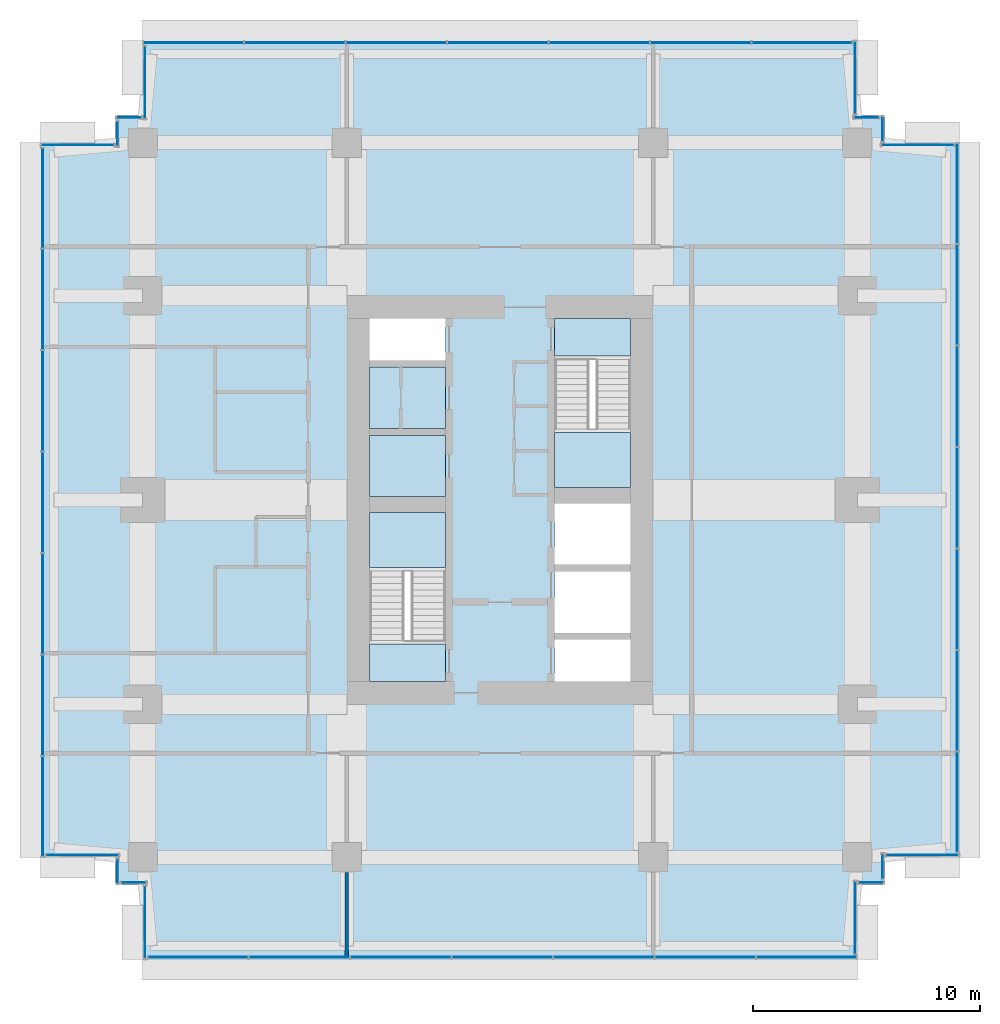
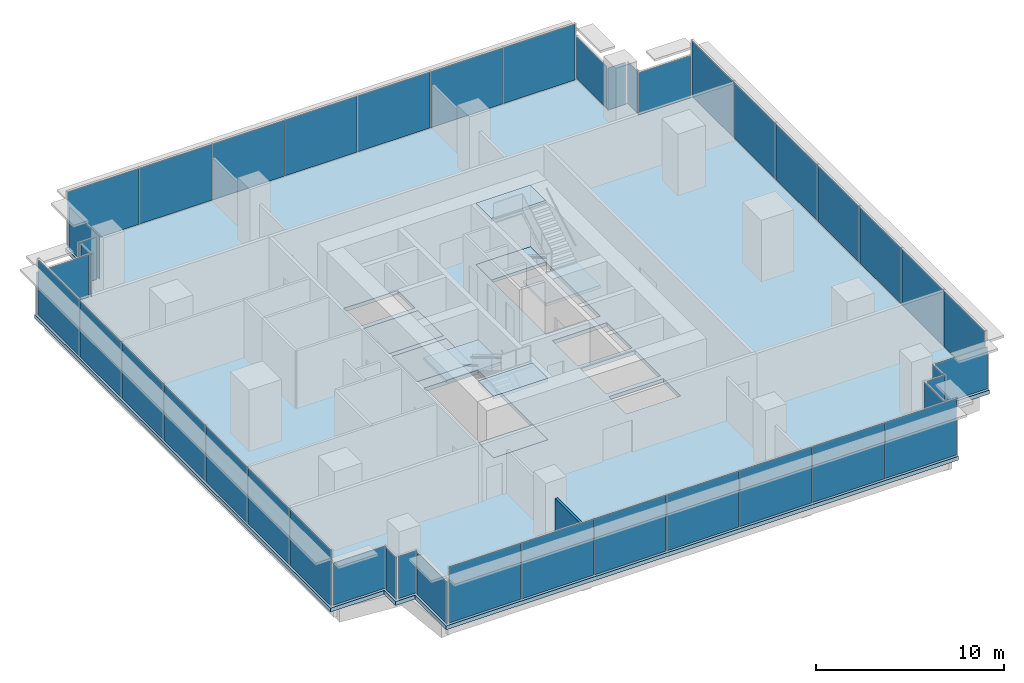
# One storey, part 10 of 13: 44 plates, 9 slabs, 1 wall, 22 elements without a shape of their own.
"""IFC4 building model written with IfcOpenShell, lengths in metres."""

from ifc_helpers import new_model, si_unit, direction, frame, frame_2d, origin, origin_2d, place, context, subcontext, project, spatial, polyline, rectangle, outline, extrude, material, layer, layer_set, type_object, element, aggregate, save


model = new_model("IFC4")

# Units and contexts
model_context = context("Model", 3, precision=1e-05, world=origin(), true_north=direction((0.0, 1.0)))
body_context = subcontext(model_context, "Body", "Model", "MODEL_VIEW")
ifc_project = project(units=[si_unit("LENGTHUNIT", "METRE"), si_unit("AREAUNIT", "SQUARE_METRE"), si_unit("VOLUMEUNIT", "CUBIC_METRE"), si_unit("PLANEANGLEUNIT", "RADIAN"), si_unit("MASSUNIT", "GRAM", prefix="KILO")], contexts=[model_context])

# Site, building, storey
site_placement = place(None, origin())
site = spatial("IfcSite", under=ifc_project, at=site_placement, CompositionType="ELEMENT")
building_placement = place(site_placement, origin())
building = spatial("IfcBuilding", under=site, at=building_placement, Name="Namib Vertical Campus", CompositionType="ELEMENT")
storey_placement = place(building_placement, frame((0.0, 0.0, 293.0)))
storey = spatial("IfcBuildingStorey", under=building, at=storey_placement, Name="L69", CompositionType="ELEMENT", Elevation=293.0)

# Curtain wall, plates
ifc_material_1 = material(Name="Black aluminium curtain wall", Category="aluminium")
ifc_layer_1 = layer(ifc_material_1, 0.199951171875)
ifc_layer_set_1 = layer_set([ifc_layer_1], Name="Sky lounge curtain wall CW-SL")
curtain_wall_type = type_object("IfcCurtainWallType", Name="Sky lounge curtain wall CW-SL", PredefinedType="USERDEFINED", material=ifc_layer_set_1)
curtain_wall_1_placement = place(storey_placement, origin())
curtain_wall_1 = element("IfcCurtainWall", 1, at=curtain_wall_1_placement, inside=storey, type_object=curtain_wall_type, Name="Curtain wall CW-SL L69 F01-1", ObjectType="CURTAIN WALL", PredefinedType="USERDEFINED")
ifc_material_2 = material(Name="Dark tinted glass", Category="glass")
ifc_layer_2 = layer(ifc_material_2, 0.028076171875)
ifc_layer_set_2 = layer_set([ifc_layer_2], Name="Dark solar glass panel 28")
plate_type = type_object("IfcPlateType", Name="Dark solar glass panel 28", PredefinedType="CURTAIN_PANEL", material=ifc_layer_set_2)
plate_1_placement = place(storey_placement, frame((6.95068359375, 0.10009765625, 0.06005859375), z_axis=(0.0, 0.0, 1.0), x_axis=(1.0, 0.0, 0.0)))
plate_1 = element("IfcPlate", 2, at=plate_1_placement, type_object=plate_type, Name="CW-SL panel 1.1", PredefinedType="CURTAIN_PANEL", context=body_context, shape_type="SweptSolid", body=[
    extrude(rectangle(XDim=4.38134765625, YDim=0.028076171875, at=origin_2d()), origin(), (0.0, 0.0, 1.0), 3.6298828125),
])
plate_2_placement = place(storey_placement, frame((11.4072265625, 0.10009765625, 0.06005859375), z_axis=(0.0, 0.0, 1.0), x_axis=(1.0, 0.0, 0.0)))
plate_2 = element("IfcPlate", 3, at=plate_2_placement, type_object=plate_type, Name="CW-SL panel 2.1", PredefinedType="CURTAIN_PANEL", context=body_context, shape_type="SweptSolid", body=[
    extrude(rectangle(XDim=4.411376953125, YDim=0.028076171875, at=origin_2d()), origin(), (0.0, 0.0, 1.0), 3.6298828125),
])
plate_3_placement = place(storey_placement, frame((15.878662109375, 0.10009765625, 0.06005859375), z_axis=(0.0, 0.0, 1.0), x_axis=(1.0, 0.0, 0.0)))
plate_3 = element("IfcPlate", 4, at=plate_3_placement, type_object=plate_type, Name="CW-SL panel 3.1", PredefinedType="CURTAIN_PANEL", context=body_context, shape_type="SweptSolid", body=[
    extrude(rectangle(XDim=4.411376953125, YDim=0.028076171875, at=origin_2d()), origin(), (0.0, 0.0, 1.0), 3.6298828125),
])
plate_4_placement = place(storey_placement, frame((20.35009765625, 0.10009765625, 0.06005859375), z_axis=(0.0, 0.0, 1.0), x_axis=(1.0, 0.0, 0.0)))
plate_4 = element("IfcPlate", 5, at=plate_4_placement, type_object=plate_type, Name="CW-SL panel 4.1", PredefinedType="CURTAIN_PANEL", context=body_context, shape_type="SweptSolid", body=[
    extrude(rectangle(XDim=4.411376953125, YDim=0.028076171875, at=origin_2d()), origin(), (0.0, 0.0, 1.0), 3.6298828125),
])
plate_5_placement = place(storey_placement, frame((24.821533203125, 0.10009765625, 0.06005859375), z_axis=(0.0, 0.0, 1.0), x_axis=(1.0, 0.0, 0.0)))
plate_5 = element("IfcPlate", 6, at=plate_5_placement, type_object=plate_type, Name="CW-SL panel 5.1", PredefinedType="CURTAIN_PANEL", context=body_context, shape_type="SweptSolid", body=[
    extrude(rectangle(XDim=4.411376953125, YDim=0.028076171875, at=origin_2d()), origin(), (0.0, 0.0, 1.0), 3.6298828125),
])
plate_6_placement = place(storey_placement, frame((29.29296875, 0.10009765625, 0.06005859375), z_axis=(0.0, 0.0, 1.0), x_axis=(1.0, 0.0, 0.0)))
plate_6 = element("IfcPlate", 7, at=plate_6_placement, type_object=plate_type, Name="CW-SL panel 6.1", PredefinedType="CURTAIN_PANEL", context=body_context, shape_type="SweptSolid", body=[
    extrude(rectangle(XDim=4.411376953125, YDim=0.028076171875, at=origin_2d()), origin(), (0.0, 0.0, 1.0), 3.6298828125),
])
plate_7_placement = place(storey_placement, frame((33.749267578125, 0.10009765625, 0.06005859375), z_axis=(0.0, 0.0, 1.0), x_axis=(1.0, 0.0, 0.0)))
plate_7 = element("IfcPlate", 8, at=plate_7_placement, type_object=plate_type, Name="CW-SL panel 7.1", PredefinedType="CURTAIN_PANEL", context=body_context, shape_type="SweptSolid", body=[
    extrude(rectangle(XDim=4.38134765625, YDim=0.028076171875, at=origin_2d()), origin(), (0.0, 0.0, 1.0), 3.6298828125),
])
aggregate(curtain_wall_1, [plate_1, plate_2, plate_3, plate_4, plate_5, plate_6, plate_7])

# Curtain wall, plate
curtain_wall_2_placement = place(storey_placement, origin())
curtain_wall_2 = element("IfcCurtainWall", 9, at=curtain_wall_2_placement, inside=storey, type_object=curtain_wall_type, Name="Curtain wall CW-SL L69 F02-1", ObjectType="CURTAIN WALL", PredefinedType="USERDEFINED")
plate_8_placement = place(storey_placement, frame((35.89990234375, 1.85009765625, 0.06005859375), z_axis=(0.0, 0.0, 1.0), x_axis=(0.0, 1.0, 0.0)))
plate_8 = element("IfcPlate", 10, at=plate_8_placement, type_object=plate_type, Name="CW-SL panel 1.1", PredefinedType="CURTAIN_PANEL", context=body_context, shape_type="SweptSolid", body=[
    extrude(rectangle(XDim=3.179931640625, YDim=0.028076171875, at=origin_2d()), origin(), (0.0, 0.0, 1.0), 2.72998046875),
])
aggregate(curtain_wall_2, [plate_8])

curtain_wall_3_placement = place(storey_placement, origin())
curtain_wall_3 = element("IfcCurtainWall", 11, at=curtain_wall_3_placement, inside=storey, type_object=curtain_wall_type, Name="Curtain wall CW-SL L69 F03-1", ObjectType="CURTAIN WALL", PredefinedType="USERDEFINED")
plate_9_placement = place(storey_placement, frame((36.60009765625, 3.39990234375, 0.06005859375), z_axis=(0.0, 0.0, 1.0), x_axis=(1.0, 0.0, 0.0)))
plate_9 = element("IfcPlate", 12, at=plate_9_placement, type_object=plate_type, Name="CW-SL panel 1.1", PredefinedType="CURTAIN_PANEL", context=body_context, shape_type="SweptSolid", body=[
    extrude(rectangle(XDim=1.080078125, YDim=0.028076171875, at=origin_2d()), origin(), (0.0, 0.0, 1.0), 2.72998046875),
])
aggregate(curtain_wall_3, [plate_9])

curtain_wall_4_placement = place(storey_placement, origin())
curtain_wall_4 = element("IfcCurtainWall", 13, at=curtain_wall_4_placement, inside=storey, type_object=curtain_wall_type, Name="Curtain wall CW-SL L69 F04-1", ObjectType="CURTAIN WALL", PredefinedType="USERDEFINED")
plate_10_placement = place(storey_placement, frame((37.10009765625, 4.10009765625, 0.06005859375), z_axis=(0.0, 0.0, 1.0), x_axis=(0.0, 1.0, 0.0)))
plate_10 = element("IfcPlate", 14, at=plate_10_placement, type_object=plate_type, Name="CW-SL panel 1.1", PredefinedType="CURTAIN_PANEL", context=body_context, shape_type="SweptSolid", body=[
    extrude(rectangle(XDim=1.080078125, YDim=0.028076171875, at=origin_2d()), origin(), (0.0, 0.0, 1.0), 2.72998046875),
])
aggregate(curtain_wall_4, [plate_10])

curtain_wall_5_placement = place(storey_placement, origin())
curtain_wall_5 = element("IfcCurtainWall", 15, at=curtain_wall_5_placement, inside=storey, type_object=curtain_wall_type, Name="Curtain wall CW-SL L69 F05-1", ObjectType="CURTAIN WALL", PredefinedType="USERDEFINED")
plate_11_placement = place(storey_placement, frame((38.85009765625, 4.60009765625, 0.06005859375), z_axis=(0.0, 0.0, 1.0), x_axis=(1.0, 0.0, 0.0)))
plate_11 = element("IfcPlate", 16, at=plate_11_placement, type_object=plate_type, Name="CW-SL panel 1.1", PredefinedType="CURTAIN_PANEL", context=body_context, shape_type="SweptSolid", body=[
    extrude(rectangle(XDim=3.179931640625, YDim=0.028076171875, at=origin_2d()), origin(), (0.0, 0.0, 1.0), 2.72998046875),
])
aggregate(curtain_wall_5, [plate_11])

# Curtain wall, plates
curtain_wall_6_placement = place(storey_placement, origin())
curtain_wall_6 = element("IfcCurtainWall", 17, at=curtain_wall_6_placement, inside=storey, type_object=curtain_wall_type, Name="Curtain wall CW-SL L69 F06-1", ObjectType="CURTAIN WALL", PredefinedType="USERDEFINED")
plate_12_placement = place(storey_placement, frame((40.39990234375, 6.95068359375, 0.06005859375), z_axis=(0.0, 0.0, 1.0), x_axis=(0.0, 1.0, 0.0)))
plate_12 = element("IfcPlate", 18, at=plate_12_placement, type_object=plate_type, Name="CW-SL panel 1.1", PredefinedType="CURTAIN_PANEL", context=body_context, shape_type="SweptSolid", body=[
    extrude(rectangle(XDim=4.38134765625, YDim=0.028076171875, at=origin_2d()), origin(), (0.0, 0.0, 1.0), 3.6298828125),
])
plate_13_placement = place(storey_placement, frame((40.39990234375, 11.4072265625, 0.06005859375), z_axis=(0.0, 0.0, 1.0), x_axis=(0.0, 1.0, 0.0)))
plate_13 = element("IfcPlate", 19, at=plate_13_placement, type_object=plate_type, Name="CW-SL panel 2.1", PredefinedType="CURTAIN_PANEL", context=body_context, shape_type="SweptSolid", body=[
    extrude(rectangle(XDim=4.411376953125, YDim=0.028076171875, at=origin_2d()), origin(), (0.0, 0.0, 1.0), 3.6298828125),
])
plate_14_placement = place(storey_placement, frame((40.39990234375, 15.878662109375, 0.06005859375), z_axis=(0.0, 0.0, 1.0), x_axis=(0.0, 1.0, 0.0)))
plate_14 = element("IfcPlate", 20, at=plate_14_placement, type_object=plate_type, Name="CW-SL panel 3.1", PredefinedType="CURTAIN_PANEL", context=body_context, shape_type="SweptSolid", body=[
    extrude(rectangle(XDim=4.411376953125, YDim=0.028076171875, at=origin_2d()), origin(), (0.0, 0.0, 1.0), 3.6298828125),
])
plate_15_placement = place(storey_placement, frame((40.39990234375, 20.35009765625, 0.06005859375), z_axis=(0.0, 0.0, 1.0), x_axis=(0.0, 1.0, 0.0)))
plate_15 = element("IfcPlate", 21, at=plate_15_placement, type_object=plate_type, Name="CW-SL panel 4.1", PredefinedType="CURTAIN_PANEL", context=body_context, shape_type="SweptSolid", body=[
    extrude(rectangle(XDim=4.411376953125, YDim=0.028076171875, at=origin_2d()), origin(), (0.0, 0.0, 1.0), 3.6298828125),
])
plate_16_placement = place(storey_placement, frame((40.39990234375, 24.821533203125, 0.06005859375), z_axis=(0.0, 0.0, 1.0), x_axis=(0.0, 1.0, 0.0)))
plate_16 = element("IfcPlate", 22, at=plate_16_placement, type_object=plate_type, Name="CW-SL panel 5.1", PredefinedType="CURTAIN_PANEL", context=body_context, shape_type="SweptSolid", body=[
    extrude(rectangle(XDim=4.411376953125, YDim=0.028076171875, at=origin_2d()), origin(), (0.0, 0.0, 1.0), 3.6298828125),
])
plate_17_placement = place(storey_placement, frame((40.39990234375, 29.29296875, 0.06005859375), z_axis=(0.0, 0.0, 1.0), x_axis=(0.0, 1.0, 0.0)))
plate_17 = element("IfcPlate", 23, at=plate_17_placement, type_object=plate_type, Name="CW-SL panel 6.1", PredefinedType="CURTAIN_PANEL", context=body_context, shape_type="SweptSolid", body=[
    extrude(rectangle(XDim=4.411376953125, YDim=0.028076171875, at=origin_2d()), origin(), (0.0, 0.0, 1.0), 3.6298828125),
])
plate_18_placement = place(storey_placement, frame((40.39990234375, 33.749267578125, 0.06005859375), z_axis=(0.0, 0.0, 1.0), x_axis=(0.0, 1.0, 0.0)))
plate_18 = element("IfcPlate", 24, at=plate_18_placement, type_object=plate_type, Name="CW-SL panel 7.1", PredefinedType="CURTAIN_PANEL", context=body_context, shape_type="SweptSolid", body=[
    extrude(rectangle(XDim=4.38134765625, YDim=0.028076171875, at=origin_2d()), origin(), (0.0, 0.0, 1.0), 3.6298828125),
])
aggregate(curtain_wall_6, [plate_12, plate_13, plate_14, plate_15, plate_16, plate_17, plate_18])

# Curtain wall, plate
curtain_wall_7_placement = place(storey_placement, origin())
curtain_wall_7 = element("IfcCurtainWall", 25, at=curtain_wall_7_placement, inside=storey, type_object=curtain_wall_type, Name="Curtain wall CW-SL L69 F07-1", ObjectType="CURTAIN WALL", PredefinedType="USERDEFINED")
plate_19_placement = place(storey_placement, frame((38.64990234375, 35.89990234375, 0.06005859375), z_axis=(0.0, 0.0, 1.0), x_axis=(-1.0, 0.0, 0.0)))
plate_19 = element("IfcPlate", 26, at=plate_19_placement, type_object=plate_type, Name="CW-SL panel 1.1", PredefinedType="CURTAIN_PANEL", context=body_context, shape_type="SweptSolid", body=[
    extrude(rectangle(XDim=3.179931640625, YDim=0.028076171875, at=origin_2d()), origin(), (0.0, 0.0, 1.0), 2.72998046875),
])
aggregate(curtain_wall_7, [plate_19])

curtain_wall_8_placement = place(storey_placement, origin())
curtain_wall_8 = element("IfcCurtainWall", 27, at=curtain_wall_8_placement, inside=storey, type_object=curtain_wall_type, Name="Curtain wall CW-SL L69 F08-1", ObjectType="CURTAIN WALL", PredefinedType="USERDEFINED")
plate_20_placement = place(storey_placement, frame((37.10009765625, 36.60009765625, 0.06005859375), z_axis=(0.0, 0.0, 1.0), x_axis=(0.0, 1.0, 0.0)))
plate_20 = element("IfcPlate", 28, at=plate_20_placement, type_object=plate_type, Name="CW-SL panel 1.1", PredefinedType="CURTAIN_PANEL", context=body_context, shape_type="SweptSolid", body=[
    extrude(rectangle(XDim=1.080078125, YDim=0.028076171875, at=origin_2d()), origin(), (0.0, 0.0, 1.0), 2.72998046875),
])
aggregate(curtain_wall_8, [plate_20])

curtain_wall_9_placement = place(storey_placement, origin())
curtain_wall_9 = element("IfcCurtainWall", 29, at=curtain_wall_9_placement, inside=storey, type_object=curtain_wall_type, Name="Curtain wall CW-SL L69 F09-1", ObjectType="CURTAIN WALL", PredefinedType="USERDEFINED")
plate_21_placement = place(storey_placement, frame((36.39990234375, 37.10009765625, 0.06005859375), z_axis=(0.0, 0.0, 1.0), x_axis=(-1.0, 0.0, 0.0)))
plate_21 = element("IfcPlate", 30, at=plate_21_placement, type_object=plate_type, Name="CW-SL panel 1.1", PredefinedType="CURTAIN_PANEL", context=body_context, shape_type="SweptSolid", body=[
    extrude(rectangle(XDim=1.080078125, YDim=0.028076171875, at=origin_2d()), origin(), (0.0, 0.0, 1.0), 2.72998046875),
])
aggregate(curtain_wall_9, [plate_21])

curtain_wall_10_placement = place(storey_placement, origin())
curtain_wall_10 = element("IfcCurtainWall", 31, at=curtain_wall_10_placement, inside=storey, type_object=curtain_wall_type, Name="Curtain wall CW-SL L69 F10-1", ObjectType="CURTAIN WALL", PredefinedType="USERDEFINED")
plate_22_placement = place(storey_placement, frame((35.89990234375, 38.85009765625, 0.06005859375), z_axis=(0.0, 0.0, 1.0), x_axis=(0.0, 1.0, 0.0)))
plate_22 = element("IfcPlate", 32, at=plate_22_placement, type_object=plate_type, Name="CW-SL panel 1.1", PredefinedType="CURTAIN_PANEL", context=body_context, shape_type="SweptSolid", body=[
    extrude(rectangle(XDim=3.179931640625, YDim=0.028076171875, at=origin_2d()), origin(), (0.0, 0.0, 1.0), 2.72998046875),
])
aggregate(curtain_wall_10, [plate_22])

# Curtain wall, plates
curtain_wall_11_placement = place(storey_placement, origin())
curtain_wall_11 = element("IfcCurtainWall", 33, at=curtain_wall_11_placement, inside=storey, type_object=curtain_wall_type, Name="Curtain wall CW-SL L69 F11-1", ObjectType="CURTAIN WALL", PredefinedType="USERDEFINED")
plate_23_placement = place(storey_placement, frame((33.54931640625, 40.39990234375, 0.06005859375), z_axis=(0.0, 0.0, 1.0), x_axis=(-1.0, 0.0, 0.0)))
plate_23 = element("IfcPlate", 34, at=plate_23_placement, type_object=plate_type, Name="CW-SL panel 1.1", PredefinedType="CURTAIN_PANEL", context=body_context, shape_type="SweptSolid", body=[
    extrude(rectangle(XDim=4.38134765625, YDim=0.028076171875, at=origin_2d()), origin(), (0.0, 0.0, 1.0), 3.6298828125),
])
plate_24_placement = place(storey_placement, frame((29.0927734375, 40.39990234375, 0.06005859375), z_axis=(0.0, 0.0, 1.0), x_axis=(-1.0, 0.0, 0.0)))
plate_24 = element("IfcPlate", 35, at=plate_24_placement, type_object=plate_type, Name="CW-SL panel 2.1", PredefinedType="CURTAIN_PANEL", context=body_context, shape_type="SweptSolid", body=[
    extrude(rectangle(XDim=4.411376953125, YDim=0.028076171875, at=origin_2d()), origin(), (0.0, 0.0, 1.0), 3.6298828125),
])
plate_25_placement = place(storey_placement, frame((24.621337890625, 40.39990234375, 0.06005859375), z_axis=(0.0, 0.0, 1.0), x_axis=(-1.0, 0.0, 0.0)))
plate_25 = element("IfcPlate", 36, at=plate_25_placement, type_object=plate_type, Name="CW-SL panel 3.1", PredefinedType="CURTAIN_PANEL", context=body_context, shape_type="SweptSolid", body=[
    extrude(rectangle(XDim=4.411376953125, YDim=0.028076171875, at=origin_2d()), origin(), (0.0, 0.0, 1.0), 3.6298828125),
])
plate_26_placement = place(storey_placement, frame((20.14990234375, 40.39990234375, 0.06005859375), z_axis=(0.0, 0.0, 1.0), x_axis=(-1.0, 0.0, 0.0)))
plate_26 = element("IfcPlate", 37, at=plate_26_placement, type_object=plate_type, Name="CW-SL panel 4.1", PredefinedType="CURTAIN_PANEL", context=body_context, shape_type="SweptSolid", body=[
    extrude(rectangle(XDim=4.411376953125, YDim=0.028076171875, at=origin_2d()), origin(), (0.0, 0.0, 1.0), 3.6298828125),
])
plate_27_placement = place(storey_placement, frame((15.678466796875, 40.39990234375, 0.06005859375), z_axis=(0.0, 0.0, 1.0), x_axis=(-1.0, 0.0, 0.0)))
plate_27 = element("IfcPlate", 38, at=plate_27_placement, type_object=plate_type, Name="CW-SL panel 5.1", PredefinedType="CURTAIN_PANEL", context=body_context, shape_type="SweptSolid", body=[
    extrude(rectangle(XDim=4.411376953125, YDim=0.028076171875, at=origin_2d()), origin(), (0.0, 0.0, 1.0), 3.6298828125),
])
plate_28_placement = place(storey_placement, frame((11.20703125, 40.39990234375, 0.06005859375), z_axis=(0.0, 0.0, 1.0), x_axis=(-1.0, 0.0, 0.0)))
plate_28 = element("IfcPlate", 39, at=plate_28_placement, type_object=plate_type, Name="CW-SL panel 6.1", PredefinedType="CURTAIN_PANEL", context=body_context, shape_type="SweptSolid", body=[
    extrude(rectangle(XDim=4.411376953125, YDim=0.028076171875, at=origin_2d()), origin(), (0.0, 0.0, 1.0), 3.6298828125),
])
plate_29_placement = place(storey_placement, frame((6.750732421875, 40.39990234375, 0.06005859375), z_axis=(0.0, 0.0, 1.0), x_axis=(-1.0, 0.0, 0.0)))
plate_29 = element("IfcPlate", 40, at=plate_29_placement, type_object=plate_type, Name="CW-SL panel 7.1", PredefinedType="CURTAIN_PANEL", context=body_context, shape_type="SweptSolid", body=[
    extrude(rectangle(XDim=4.38134765625, YDim=0.028076171875, at=origin_2d()), origin(), (0.0, 0.0, 1.0), 3.6298828125),
])
aggregate(curtain_wall_11, [plate_23, plate_24, plate_25, plate_26, plate_27, plate_28, plate_29])

# Curtain wall, plate
curtain_wall_12_placement = place(storey_placement, origin())
curtain_wall_12 = element("IfcCurtainWall", 41, at=curtain_wall_12_placement, inside=storey, type_object=curtain_wall_type, Name="Curtain wall CW-SL L69 F12-1", ObjectType="CURTAIN WALL", PredefinedType="USERDEFINED")
plate_30_placement = place(storey_placement, frame((4.60009765625, 38.64990234375, 0.06005859375), z_axis=(0.0, 0.0, 1.0), x_axis=(0.0, -1.0, 0.0)))
plate_30 = element("IfcPlate", 42, at=plate_30_placement, type_object=plate_type, Name="CW-SL panel 1.1", PredefinedType="CURTAIN_PANEL", context=body_context, shape_type="SweptSolid", body=[
    extrude(rectangle(XDim=3.179931640625, YDim=0.028076171875, at=origin_2d()), origin(), (0.0, 0.0, 1.0), 2.72998046875),
])
aggregate(curtain_wall_12, [plate_30])

curtain_wall_13_placement = place(storey_placement, origin())
curtain_wall_13 = element("IfcCurtainWall", 43, at=curtain_wall_13_placement, inside=storey, type_object=curtain_wall_type, Name="Curtain wall CW-SL L69 F13-1", ObjectType="CURTAIN WALL", PredefinedType="USERDEFINED")
plate_31_placement = place(storey_placement, frame((3.89990234375, 37.10009765625, 0.06005859375), z_axis=(0.0, 0.0, 1.0), x_axis=(-1.0, 0.0, 0.0)))
plate_31 = element("IfcPlate", 44, at=plate_31_placement, type_object=plate_type, Name="CW-SL panel 1.1", PredefinedType="CURTAIN_PANEL", context=body_context, shape_type="SweptSolid", body=[
    extrude(rectangle(XDim=1.080078125, YDim=0.028076171875, at=origin_2d()), origin(), (0.0, 0.0, 1.0), 2.72998046875),
])
aggregate(curtain_wall_13, [plate_31])

curtain_wall_14_placement = place(storey_placement, origin())
curtain_wall_14 = element("IfcCurtainWall", 45, at=curtain_wall_14_placement, inside=storey, type_object=curtain_wall_type, Name="Curtain wall CW-SL L69 F14-1", ObjectType="CURTAIN WALL", PredefinedType="USERDEFINED")
plate_32_placement = place(storey_placement, frame((3.39990234375, 36.39990234375, 0.06005859375), z_axis=(0.0, 0.0, 1.0), x_axis=(0.0, -1.0, 0.0)))
plate_32 = element("IfcPlate", 46, at=plate_32_placement, type_object=plate_type, Name="CW-SL panel 1.1", PredefinedType="CURTAIN_PANEL", context=body_context, shape_type="SweptSolid", body=[
    extrude(rectangle(XDim=1.080078125, YDim=0.028076171875, at=origin_2d()), origin(), (0.0, 0.0, 1.0), 2.72998046875),
])
aggregate(curtain_wall_14, [plate_32])

curtain_wall_15_placement = place(storey_placement, origin())
curtain_wall_15 = element("IfcCurtainWall", 47, at=curtain_wall_15_placement, inside=storey, type_object=curtain_wall_type, Name="Curtain wall CW-SL L69 F15-1", ObjectType="CURTAIN WALL", PredefinedType="USERDEFINED")
plate_33_placement = place(storey_placement, frame((1.64990234375, 35.89990234375, 0.06005859375), z_axis=(0.0, 0.0, 1.0), x_axis=(-1.0, 0.0, 0.0)))
plate_33 = element("IfcPlate", 48, at=plate_33_placement, type_object=plate_type, Name="CW-SL panel 1.1", PredefinedType="CURTAIN_PANEL", context=body_context, shape_type="SweptSolid", body=[
    extrude(rectangle(XDim=3.179931640625, YDim=0.028076171875, at=origin_2d()), origin(), (0.0, 0.0, 1.0), 2.72998046875),
])
aggregate(curtain_wall_15, [plate_33])

# Curtain wall, plates
curtain_wall_16_placement = place(storey_placement, origin())
curtain_wall_16 = element("IfcCurtainWall", 49, at=curtain_wall_16_placement, inside=storey, type_object=curtain_wall_type, Name="Curtain wall CW-SL L69 F16-1", ObjectType="CURTAIN WALL", PredefinedType="USERDEFINED")
plate_34_placement = place(storey_placement, frame((0.10009765625, 33.54931640625, 0.06005859375), z_axis=(0.0, 0.0, 1.0), x_axis=(0.0, -1.0, 0.0)))
plate_34 = element("IfcPlate", 50, at=plate_34_placement, type_object=plate_type, Name="CW-SL panel 1.1", PredefinedType="CURTAIN_PANEL", context=body_context, shape_type="SweptSolid", body=[
    extrude(rectangle(XDim=4.38134765625, YDim=0.028076171875, at=origin_2d()), origin(), (0.0, 0.0, 1.0), 3.6298828125),
])
plate_35_placement = place(storey_placement, frame((0.10009765625, 29.0927734375, 0.06005859375), z_axis=(0.0, 0.0, 1.0), x_axis=(0.0, -1.0, 0.0)))
plate_35 = element("IfcPlate", 51, at=plate_35_placement, type_object=plate_type, Name="CW-SL panel 2.1", PredefinedType="CURTAIN_PANEL", context=body_context, shape_type="SweptSolid", body=[
    extrude(rectangle(XDim=4.411376953125, YDim=0.028076171875, at=origin_2d()), origin(), (0.0, 0.0, 1.0), 3.6298828125),
])
plate_36_placement = place(storey_placement, frame((0.10009765625, 24.621337890625, 0.06005859375), z_axis=(0.0, 0.0, 1.0), x_axis=(0.0, -1.0, 0.0)))
plate_36 = element("IfcPlate", 52, at=plate_36_placement, type_object=plate_type, Name="CW-SL panel 3.1", PredefinedType="CURTAIN_PANEL", context=body_context, shape_type="SweptSolid", body=[
    extrude(rectangle(XDim=4.411376953125, YDim=0.028076171875, at=origin_2d()), origin(), (0.0, 0.0, 1.0), 3.6298828125),
])
plate_37_placement = place(storey_placement, frame((0.10009765625, 20.14990234375, 0.06005859375), z_axis=(0.0, 0.0, 1.0), x_axis=(0.0, -1.0, 0.0)))
plate_37 = element("IfcPlate", 53, at=plate_37_placement, type_object=plate_type, Name="CW-SL panel 4.1", PredefinedType="CURTAIN_PANEL", context=body_context, shape_type="SweptSolid", body=[
    extrude(rectangle(XDim=4.411376953125, YDim=0.028076171875, at=origin_2d()), origin(), (0.0, 0.0, 1.0), 3.6298828125),
])
plate_38_placement = place(storey_placement, frame((0.10009765625, 15.678466796875, 0.06005859375), z_axis=(0.0, 0.0, 1.0), x_axis=(0.0, -1.0, 0.0)))
plate_38 = element("IfcPlate", 54, at=plate_38_placement, type_object=plate_type, Name="CW-SL panel 5.1", PredefinedType="CURTAIN_PANEL", context=body_context, shape_type="SweptSolid", body=[
    extrude(rectangle(XDim=4.411376953125, YDim=0.028076171875, at=origin_2d()), origin(), (0.0, 0.0, 1.0), 3.6298828125),
])
plate_39_placement = place(storey_placement, frame((0.10009765625, 11.20703125, 0.06005859375), z_axis=(0.0, 0.0, 1.0), x_axis=(0.0, -1.0, 0.0)))
plate_39 = element("IfcPlate", 55, at=plate_39_placement, type_object=plate_type, Name="CW-SL panel 6.1", PredefinedType="CURTAIN_PANEL", context=body_context, shape_type="SweptSolid", body=[
    extrude(rectangle(XDim=4.411376953125, YDim=0.028076171875, at=origin_2d()), origin(), (0.0, 0.0, 1.0), 3.6298828125),
])
plate_40_placement = place(storey_placement, frame((0.10009765625, 6.750732421875, 0.06005859375), z_axis=(0.0, 0.0, 1.0), x_axis=(0.0, -1.0, 0.0)))
plate_40 = element("IfcPlate", 56, at=plate_40_placement, type_object=plate_type, Name="CW-SL panel 7.1", PredefinedType="CURTAIN_PANEL", context=body_context, shape_type="SweptSolid", body=[
    extrude(rectangle(XDim=4.38134765625, YDim=0.028076171875, at=origin_2d()), origin(), (0.0, 0.0, 1.0), 3.6298828125),
])
aggregate(curtain_wall_16, [plate_34, plate_35, plate_36, plate_37, plate_38, plate_39, plate_40])

# Curtain wall, plate
curtain_wall_17_placement = place(storey_placement, origin())
curtain_wall_17 = element("IfcCurtainWall", 57, at=curtain_wall_17_placement, inside=storey, type_object=curtain_wall_type, Name="Curtain wall CW-SL L69 F17-1", ObjectType="CURTAIN WALL", PredefinedType="USERDEFINED")
plate_41_placement = place(storey_placement, frame((1.85009765625, 4.60009765625, 0.06005859375), z_axis=(0.0, 0.0, 1.0), x_axis=(1.0, 0.0, 0.0)))
plate_41 = element("IfcPlate", 58, at=plate_41_placement, type_object=plate_type, Name="CW-SL panel 1.1", PredefinedType="CURTAIN_PANEL", context=body_context, shape_type="SweptSolid", body=[
    extrude(rectangle(XDim=3.179931640625, YDim=0.028076171875, at=origin_2d()), origin(), (0.0, 0.0, 1.0), 2.72998046875),
])
aggregate(curtain_wall_17, [plate_41])

curtain_wall_18_placement = place(storey_placement, origin())
curtain_wall_18 = element("IfcCurtainWall", 59, at=curtain_wall_18_placement, inside=storey, type_object=curtain_wall_type, Name="Curtain wall CW-SL L69 F18-1", ObjectType="CURTAIN WALL", PredefinedType="USERDEFINED")
plate_42_placement = place(storey_placement, frame((3.39990234375, 3.89990234375, 0.06005859375), z_axis=(0.0, 0.0, 1.0), x_axis=(0.0, -1.0, 0.0)))
plate_42 = element("IfcPlate", 60, at=plate_42_placement, type_object=plate_type, Name="CW-SL panel 1.1", PredefinedType="CURTAIN_PANEL", context=body_context, shape_type="SweptSolid", body=[
    extrude(rectangle(XDim=1.080078125, YDim=0.028076171875, at=origin_2d()), origin(), (0.0, 0.0, 1.0), 2.72998046875),
])
aggregate(curtain_wall_18, [plate_42])

curtain_wall_19_placement = place(storey_placement, origin())
curtain_wall_19 = element("IfcCurtainWall", 61, at=curtain_wall_19_placement, inside=storey, type_object=curtain_wall_type, Name="Curtain wall CW-SL L69 F19-1", ObjectType="CURTAIN WALL", PredefinedType="USERDEFINED")
plate_43_placement = place(storey_placement, frame((4.10009765625, 3.39990234375, 0.06005859375), z_axis=(0.0, 0.0, 1.0), x_axis=(1.0, 0.0, 0.0)))
plate_43 = element("IfcPlate", 62, at=plate_43_placement, type_object=plate_type, Name="CW-SL panel 1.1", PredefinedType="CURTAIN_PANEL", context=body_context, shape_type="SweptSolid", body=[
    extrude(rectangle(XDim=1.080078125, YDim=0.028076171875, at=origin_2d()), origin(), (0.0, 0.0, 1.0), 2.72998046875),
])
aggregate(curtain_wall_19, [plate_43])

curtain_wall_20_placement = place(storey_placement, origin())
curtain_wall_20 = element("IfcCurtainWall", 63, at=curtain_wall_20_placement, inside=storey, type_object=curtain_wall_type, Name="Curtain wall CW-SL L69 F20-1", ObjectType="CURTAIN WALL", PredefinedType="USERDEFINED")
plate_44_placement = place(storey_placement, frame((4.60009765625, 1.64990234375, 0.06005859375), z_axis=(0.0, 0.0, 1.0), x_axis=(0.0, -1.0, 0.0)))
plate_44 = element("IfcPlate", 64, at=plate_44_placement, type_object=plate_type, Name="CW-SL panel 1.1", PredefinedType="CURTAIN_PANEL", context=body_context, shape_type="SweptSolid", body=[
    extrude(rectangle(XDim=3.179931640625, YDim=0.028076171875, at=origin_2d()), origin(), (0.0, 0.0, 1.0), 2.72998046875),
])
aggregate(curtain_wall_20, [plate_44])

# Slabs
ifc_material_3 = material(Name="Concrete C40/50", Category="concrete")
ifc_layer_3 = layer(ifc_material_3, 0.25)
ifc_layer_set_3 = layer_set([ifc_layer_3], Name="Concrete C40/50")
slab_type_1 = type_object("IfcSlabType", Name="Floor slab 250", PredefinedType="FLOOR", material=ifc_layer_set_3)
slab_1_placement = place(storey_placement, frame((0.0, 0.0, -0.25)))
element("IfcSlab", 65, at=slab_1_placement, inside=storey, type_object=slab_type_1, Name="Floor slab A L69", PredefinedType="FLOOR", context=body_context, shape_type="SweptSolid", body=[
    extrude(outline(polyline([(4.5, 0.0), (36.0, 0.0), (36.0, 3.300048828125), (37.199951171875, 3.300048828125), (37.199951171875, 4.5), (40.5, 4.5), (40.5, 36.0), (37.199951171875, 36.0), (37.199951171875, 37.199951171875), (36.0, 37.199951171875), (36.0, 40.5), (4.5, 40.5), (4.5, 37.199951171875), (3.300048828125, 37.199951171875), (3.300048828125, 36.0), (0.0, 36.0), (0.0, 4.5), (3.300048828125, 4.5), (3.300048828125, 3.300048828125), (4.5, 3.300048828125), (4.5, 0.0)]), holes=[polyline([(14.5, 12.25), (17.85009765625, 12.25), (17.85009765625, 19.699951171875), (14.5, 19.699951171875), (14.5, 12.25)]), polyline([(22.64990234375, 20.800048828125), (26.0, 20.800048828125), (26.0, 28.25), (22.64990234375, 28.25), (22.64990234375, 20.800048828125)]), polyline([(22.64990234375, 12.25), (26.0, 12.25), (26.0, 14.10009765625), (22.64990234375, 14.10009765625), (22.64990234375, 12.25)]), polyline([(14.5, 20.39990234375), (17.85009765625, 20.39990234375), (17.85009765625, 23.10009765625), (14.5, 23.10009765625), (14.5, 20.39990234375)]), polyline([(14.5, 23.39990234375), (17.85009765625, 23.39990234375), (17.85009765625, 26.10009765625), (14.5, 26.10009765625), (14.5, 23.39990234375)]), polyline([(14.5, 26.39990234375), (17.85009765625, 26.39990234375), (17.85009765625, 28.25), (14.5, 28.25), (14.5, 26.39990234375)]), polyline([(22.64990234375, 14.39990234375), (26.0, 14.39990234375), (26.0, 17.10009765625), (22.64990234375, 17.10009765625), (22.64990234375, 14.39990234375)]), polyline([(22.64990234375, 17.39990234375), (26.0, 17.39990234375), (26.0, 20.10009765625), (22.64990234375, 20.10009765625), (22.64990234375, 17.39990234375)])]), origin(), (0.0, 0.0, 1.0), 0.25),
])
ifc_material_4 = material(Name="Concrete C40/50 precast", Category="concrete")
ifc_layer_4 = layer(ifc_material_4, 0.25)
ifc_layer_set_4 = layer_set([ifc_layer_4], Name="Concrete C40/50 precast")
slab_type_2 = type_object("IfcSlabType", Name="Shaft infill floor 250", PredefinedType="FLOOR", material=ifc_layer_set_4)
slab_2_placement = place(storey_placement, frame((0.0, 0.0, -0.25)))
element("IfcSlab", 66, at=slab_2_placement, inside=storey, type_object=slab_type_2, Name="Shaft infill floor A L69 P1", PredefinedType="FLOOR", context=body_context, shape_type="SweptSolid", body=[
    extrude(outline(polyline([(14.5, 20.39990234375), (17.85009765625, 20.39990234375), (17.85009765625, 23.10009765625), (14.5, 23.10009765625), (14.5, 20.39990234375)])), origin(), (0.0, 0.0, 1.0), 0.25),
])
slab_3_placement = place(storey_placement, frame((0.0, 0.0, -0.25)))
element("IfcSlab", 67, at=slab_3_placement, inside=storey, type_object=slab_type_2, Name="Shaft infill floor A L69 P2", PredefinedType="FLOOR", context=body_context, shape_type="SweptSolid", body=[
    extrude(outline(polyline([(14.5, 23.39990234375), (17.85009765625, 23.39990234375), (17.85009765625, 26.10009765625), (14.5, 26.10009765625), (14.5, 23.39990234375)])), origin(), (0.0, 0.0, 1.0), 0.25),
])

# Stair, slabs
ifc_material_5 = material(Name="Concrete C40/50 precast", Category="concrete")
stair_type = type_object("IfcStairType", Name="Exit stair 4000 rise 24 risers 3350 wide", PredefinedType="HALF_TURN_STAIR", material=ifc_material_5)
stair_1_placement = place(storey_placement, origin())
stair_1 = element("IfcStair", 68, at=stair_1_placement, inside=storey, type_object=stair_type, Name="Exit stair A-S1 L69", PredefinedType="HALF_TURN_STAIR")
ifc_material_6 = material(Name="Concrete C40/50", Category="concrete")
ifc_layer_5 = layer(ifc_material_6, 0.199951171875)
ifc_layer_set_5 = layer_set([ifc_layer_5], Name="Concrete C40/50")
slab_type_3 = type_object("IfcSlabType", Name="Stair landing 200", PredefinedType="LANDING", material=ifc_layer_set_5)
slab_4_placement = place(storey_placement, frame((0.0, 0.0, -0.199951171875)))
slab_4 = element("IfcSlab", 69, at=slab_4_placement, type_object=slab_type_3, Name="A-S1 landing 1", PredefinedType="LANDING", context=body_context, shape_type="SweptSolid", body=[
    extrude(outline(polyline([(14.5, 12.25), (17.85009765625, 12.25), (17.85009765625, 13.90380859375), (14.5, 13.90380859375), (14.5, 12.25)])), origin(), (0.0, 0.0, 1.0), 0.199951171875),
])
slab_5_placement = place(storey_placement, frame((0.0, 0.0, 1.800048828125)))
slab_5 = element("IfcSlab", 70, at=slab_5_placement, type_object=slab_type_3, Name="A-S1 landing 2", PredefinedType="LANDING", context=body_context, shape_type="SweptSolid", body=[
    extrude(outline(polyline([(14.5, 17.276123046875), (17.85009765625, 17.276123046875), (17.85009765625, 19.699951171875), (14.5, 19.699951171875), (14.5, 17.276123046875)])), origin(), (0.0, 0.0, 1.0), 0.199951171875),
])
slab_6_placement = place(storey_placement, frame((0.0, 0.0, 3.800048828125)))
slab_6 = element("IfcSlab", 71, at=slab_6_placement, type_object=slab_type_3, Name="A-S1 landing 3", PredefinedType="LANDING", context=body_context, shape_type="SweptSolid", body=[
    extrude(outline(polyline([(14.5, 12.25), (17.85009765625, 12.25), (17.85009765625, 13.90380859375), (14.5, 13.90380859375), (14.5, 12.25)])), origin(), (0.0, 0.0, 1.0), 0.199951171875),
])
aggregate(stair_1, [slab_4, slab_5, slab_6])

stair_2_placement = place(storey_placement, origin())
stair_2 = element("IfcStair", 72, at=stair_2_placement, inside=storey, type_object=stair_type, Name="Exit stair A-S2 L69", PredefinedType="HALF_TURN_STAIR")
slab_7_placement = place(storey_placement, frame((0.0, 0.0, -0.199951171875)))
slab_7 = element("IfcSlab", 73, at=slab_7_placement, type_object=slab_type_3, Name="A-S2 landing 1", PredefinedType="LANDING", context=body_context, shape_type="SweptSolid", body=[
    extrude(outline(polyline([(22.64990234375, 26.59619140625), (26.0, 26.59619140625), (26.0, 28.25), (22.64990234375, 28.25), (22.64990234375, 26.59619140625)])), origin(), (0.0, 0.0, 1.0), 0.199951171875),
])
slab_8_placement = place(storey_placement, frame((0.0, 0.0, 1.800048828125)))
slab_8 = element("IfcSlab", 74, at=slab_8_placement, type_object=slab_type_3, Name="A-S2 landing 2", PredefinedType="LANDING", context=body_context, shape_type="SweptSolid", body=[
    extrude(outline(polyline([(22.64990234375, 20.800048828125), (26.0, 20.800048828125), (26.0, 23.223876953125), (22.64990234375, 23.223876953125), (22.64990234375, 20.800048828125)])), origin(), (0.0, 0.0, 1.0), 0.199951171875),
])
slab_9_placement = place(storey_placement, frame((0.0, 0.0, 3.800048828125)))
slab_9 = element("IfcSlab", 75, at=slab_9_placement, type_object=slab_type_3, Name="A-S2 landing 3", PredefinedType="LANDING", context=body_context, shape_type="SweptSolid", body=[
    extrude(outline(polyline([(22.64990234375, 26.59619140625), (26.0, 26.59619140625), (26.0, 28.25), (22.64990234375, 28.25), (22.64990234375, 26.59619140625)])), origin(), (0.0, 0.0, 1.0), 0.199951171875),
])
aggregate(stair_2, [slab_7, slab_8, slab_9])

# Wall
ifc_material_7 = material(Name="Gypsum board on steel studs", Category="steel")
ifc_layer_6 = layer(ifc_material_7, 0.14990234375)
ifc_layer_set_6 = layer_set([ifc_layer_6], Name="Gypsum board on steel studs")
wall_type = type_object("IfcWallType", Name="Partition 150", PredefinedType="PARTITIONING", material=ifc_layer_set_6)
wall_placement = place(storey_placement, frame((13.5, 0.179931640625, 0.0), z_axis=(0.0, 0.0, 1.0), x_axis=(0.0, 1.0, 0.0)))
element("IfcWall", 76, at=wall_placement, inside=storey, type_object=wall_type, Name="Partition A L69 PS1", PredefinedType="PARTITIONING", context=body_context, shape_type="SweptSolid", body=[
    extrude(rectangle(XDim=3.650146484375, YDim=0.14990234375, at=frame_2d((1.8251953125, 0.0))), origin(), (0.0, 0.0, 1.0), 2.85009765625),
])

save(model, "model.ifc")
